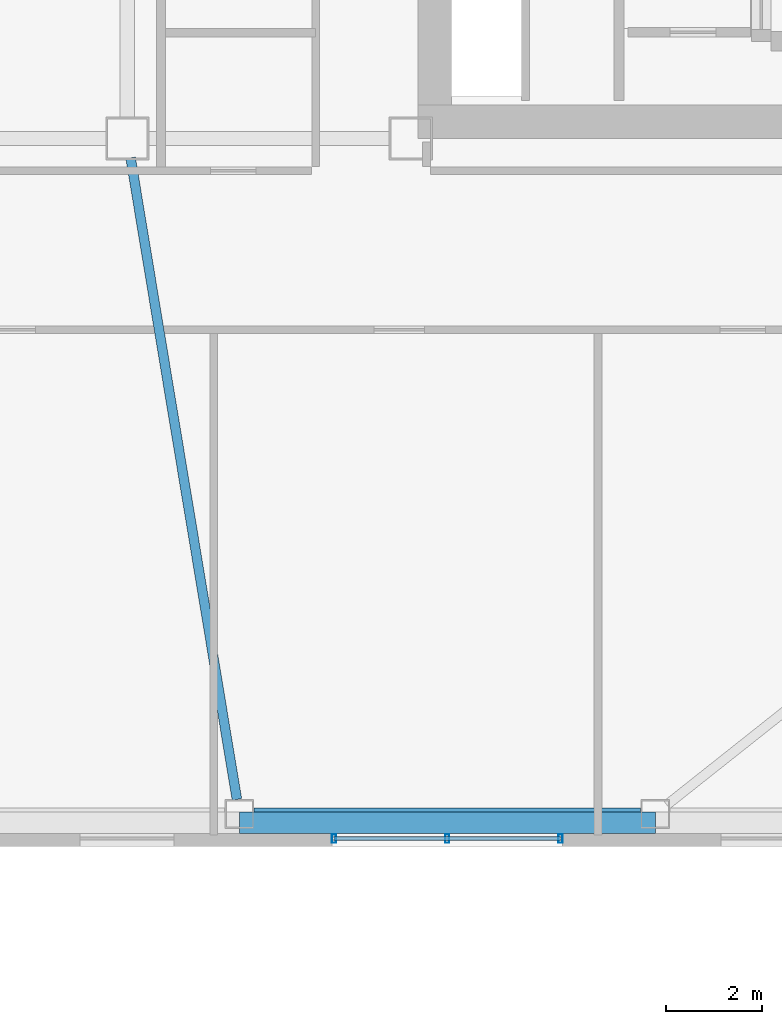
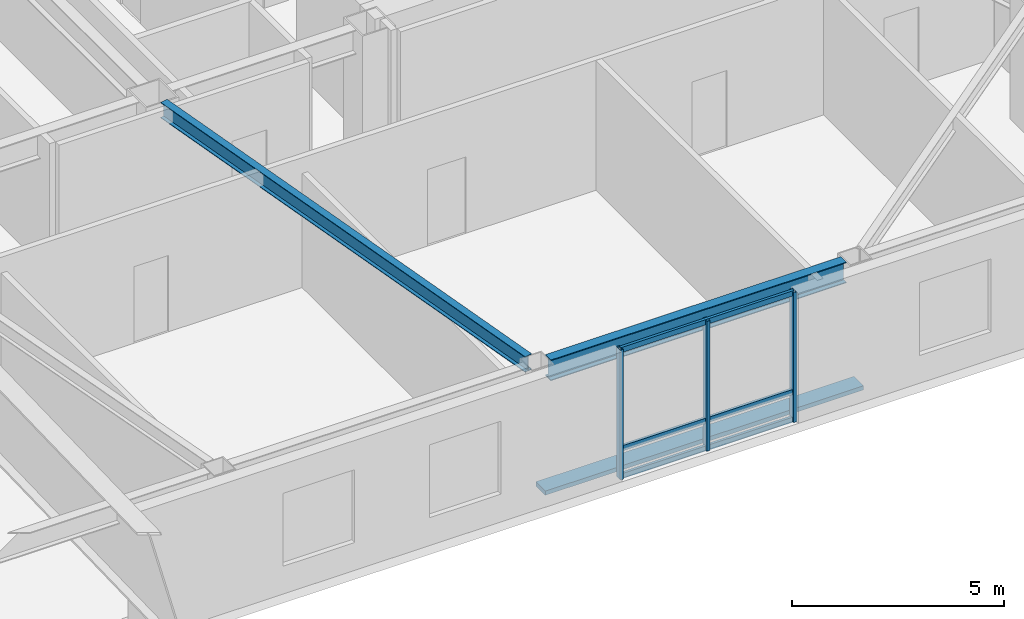
# One storey, part 5 of 19: 7 members, 2 beams, 1 element without a shape of its own.
"""IFC4 building model written with IfcOpenShell, lengths in metres."""

from ifc_helpers import new_model, si_unit, direction, frame, origin, origin_2d, place, context, subcontext, project, spatial, rectangle, hollow_rectangle, i_section, extrude, material, layer, layer_set, material_profile, profile_set, type_object, element, aggregate, save


model = new_model("IFC4")

# Units and contexts
model_context = context("Model", 3, precision=1e-05, world=origin(), true_north=direction((0.0, 1.0)))
body_context = subcontext(model_context, "Body", "Model", "MODEL_VIEW")
ifc_project = project(units=[si_unit("LENGTHUNIT", "METRE"), si_unit("AREAUNIT", "SQUARE_METRE"), si_unit("VOLUMEUNIT", "CUBIC_METRE"), si_unit("PLANEANGLEUNIT", "RADIAN"), si_unit("MASSUNIT", "GRAM", prefix="KILO")], contexts=[model_context])

# Site, building, storey
site_placement = place(None, origin())
site = spatial("IfcSite", under=ifc_project, at=site_placement, CompositionType="ELEMENT")
building_placement = place(site_placement, origin())
building = spatial("IfcBuilding", under=site, at=building_placement, Name="Tavrogorsk Clinical Tower", CompositionType="ELEMENT")
storey_placement = place(building_placement, frame((0.0, 0.0, 156.199951171875)))
storey = spatial("IfcBuildingStorey", under=building, at=storey_placement, Name="L35", CompositionType="ELEMENT", Elevation=156.199951171875)

# Member
ifc_material_1 = material(Name="Anodised aluminium alloy AW-6063", Category="aluminium")
ifc_material_profile_1 = material_profile(ifc_material_1, rectangle(XDim=0.449951171875, YDim=0.1201171875, at=origin_2d()), Name="ALU-SUNSHADE-450x120")
ifc_profile_set_1 = profile_set([ifc_material_profile_1], Name="Anodised aluminium alloy AW-6063")
member_type_1 = type_object("IfcMemberType", Name="ChicagoSunshade_450x120", PredefinedType="USERDEFINED", material=ifc_profile_set_1)
member_1_placement = place(storey_placement, frame((6.7314453125, -20.60009765625, 0.179931640625), z_axis=(1.0, 0.0, 0.0), x_axis=(0.0, 1.0, 0.0)))
element("IfcMember", 1, at=member_1_placement, inside=storey, type_object=member_type_1, Name="L35 South Aluminium Sunshade S5", ObjectType="SUNSHADE", PredefinedType="USERDEFINED", context=body_context, shape_type="SweptSolid", body=[
    extrude(rectangle(XDim=0.449951171875, YDim=0.1201171875, at=origin_2d()), origin(), (0.0, 0.0, 1.0), 8.662841796875),
])

# Curtain wall, members
ifc_material_2 = material(Name="Anodised aluminium and triple IGU glazing", Category="aluminium")
ifc_layer = layer(ifc_material_2, 0.179931640625)
ifc_layer_set = layer_set([ifc_layer], Name="Anodised aluminium and triple IGU glazing")
curtain_wall_type = type_object("IfcCurtainWallType", Name="CW3_SouthSlot", PredefinedType="NOTDEFINED", material=ifc_layer_set)
curtain_wall_placement = place(storey_placement, origin())
curtain_wall = element("IfcCurtainWall", 2, at=curtain_wall_placement, inside=storey, type_object=curtain_wall_type, Name="L35 Curtain Wall CW-L35-S-SLOT-2", PredefinedType="NOTDEFINED")
ifc_material_3 = material(Name="Anodised aluminium alloy AW-6060", Category="aluminium")
ifc_material_profile_2 = material_profile(ifc_material_3, hollow_rectangle(XDim=0.090087890625, YDim=0.179931640625, WallThickness=0.00634765625, at=origin_2d()), Name="RHS-180x90x6.3")
ifc_profile_set_2 = profile_set([ifc_material_profile_2], Name="Anodised aluminium alloy AW-6060")
member_type_2 = type_object("IfcMemberType", Name="CwMullion_180x90", PredefinedType="MULLION", material=ifc_profile_set_2)
member_2_placement = place(storey_placement, frame((8.703857421875, -20.929931640625, 0.0), z_axis=(0.0, 0.0, 1.0), x_axis=(1.0, 0.0, 0.0)))
member_2 = element("IfcMember", 3, at=member_2_placement, type_object=member_type_2, Name="CW-L35-S-SLOT-2 Mullion 1", PredefinedType="MULLION", context=body_context, shape_type="SweptSolid", body=[
    extrude(hollow_rectangle(XDim=0.090087890625, YDim=0.179931640625, WallThickness=0.00634765625, at=origin_2d()), origin(), (0.0, 0.0, 1.0), 3.739990234375),
])
member_3_placement = place(storey_placement, frame((11.062744140625, -20.929931640625, 0.0), z_axis=(0.0, 0.0, 1.0), x_axis=(1.0, 0.0, 0.0)))
member_3 = element("IfcMember", 4, at=member_3_placement, type_object=member_type_2, Name="CW-L35-S-SLOT-2 Mullion 2", PredefinedType="MULLION", context=body_context, shape_type="SweptSolid", body=[
    extrude(hollow_rectangle(XDim=0.090087890625, YDim=0.179931640625, WallThickness=0.00634765625, at=origin_2d()), origin(), (0.0, 0.0, 1.0), 3.739990234375),
])
member_4_placement = place(storey_placement, frame((13.421875, -20.929931640625, 0.0), z_axis=(0.0, 0.0, 1.0), x_axis=(1.0, 0.0, 0.0)))
member_4 = element("IfcMember", 5, at=member_4_placement, type_object=member_type_2, Name="CW-L35-S-SLOT-2 Mullion 3", PredefinedType="MULLION", context=body_context, shape_type="SweptSolid", body=[
    extrude(hollow_rectangle(XDim=0.090087890625, YDim=0.179931640625, WallThickness=0.00634765625, at=origin_2d()), origin(), (0.0, 0.0, 1.0), 3.739990234375),
])
ifc_material_4 = material(Name="Anodised aluminium alloy AW-6060", Category="aluminium")
ifc_material_profile_3 = material_profile(ifc_material_4, hollow_rectangle(XDim=0.074951171875, YDim=0.14990234375, WallThickness=0.0048828125, at=origin_2d()), Name="RHS-150x75x5")
ifc_profile_set_3 = profile_set([ifc_material_profile_3], Name="Anodised aluminium alloy AW-6060")
member_type_3 = type_object("IfcMemberType", Name="CwTransom_150x75", PredefinedType="USERDEFINED", material=ifc_profile_set_3)
member_5_placement = place(storey_placement, frame((8.703857421875, -20.929931640625, 0.050048828125), z_axis=(1.0, 0.0, 0.0), x_axis=(0.0, 1.0, 0.0)))
member_5 = element("IfcMember", 6, at=member_5_placement, type_object=member_type_3, Name="CW-L35-S-SLOT-2 Transom 1", ObjectType="TRANSOM", PredefinedType="USERDEFINED", context=body_context, shape_type="SweptSolid", body=[
    extrude(hollow_rectangle(XDim=0.074951171875, YDim=0.14990234375, WallThickness=0.0048828125, at=origin_2d()), origin(), (0.0, 0.0, 1.0), 4.718017578125),
])
member_6_placement = place(storey_placement, frame((8.703857421875, -20.929931640625, 0.85009765625), z_axis=(1.0, 0.0, 0.0), x_axis=(0.0, 1.0, 0.0)))
member_6 = element("IfcMember", 7, at=member_6_placement, type_object=member_type_3, Name="CW-L35-S-SLOT-2 Transom 2", ObjectType="TRANSOM", PredefinedType="USERDEFINED", context=body_context, shape_type="SweptSolid", body=[
    extrude(hollow_rectangle(XDim=0.074951171875, YDim=0.14990234375, WallThickness=0.0048828125, at=origin_2d()), origin(), (0.0, 0.0, 1.0), 4.718017578125),
])
member_7_placement = place(storey_placement, frame((8.703857421875, -20.929931640625, 3.68994140625), z_axis=(1.0, 0.0, 0.0), x_axis=(0.0, 1.0, 0.0)))
member_7 = element("IfcMember", 8, at=member_7_placement, type_object=member_type_3, Name="CW-L35-S-SLOT-2 Transom 3", ObjectType="TRANSOM", PredefinedType="USERDEFINED", context=body_context, shape_type="SweptSolid", body=[
    extrude(hollow_rectangle(XDim=0.074951171875, YDim=0.14990234375, WallThickness=0.0048828125, at=origin_2d()), origin(), (0.0, 0.0, 1.0), 4.718017578125),
])
aggregate(curtain_wall, [member_2, member_3, member_4, member_5, member_6, member_7])

# Beams
ifc_material_5 = material(Name="Structural steel S355", Category="steel")
ifc_material_profile_4 = material_profile(ifc_material_5, i_section(OverallWidth=0.199951171875, OverallDepth=0.449951171875, WebThickness=0.011474609375, FlangeThickness=0.01806640625, at=origin_2d()), Name="B-450x200x11.5x18")
ifc_profile_set_4 = profile_set([ifc_material_profile_4], Name="Structural steel S355")
beam_type_1 = type_object("IfcBeamType", Name="FloorBeam_B450", PredefinedType="BEAM", material=ifc_profile_set_4)
beam_1_placement = place(storey_placement, frame((4.467041015625, -6.75439453125, 3.51513671875), z_axis=(0.16347521907, -0.986547440699, 0.0), x_axis=(0.986547440699, 0.16347521907, 0.0)))
element("IfcBeam", 9, at=beam_1_placement, inside=storey, type_object=beam_type_1, Name="L35 Radial Floor Beam S5", PredefinedType="BEAM", context=body_context, shape_type="SweptSolid", body=[
    extrude(i_section(OverallWidth=0.199951171875, OverallDepth=0.449951171875, WebThickness=0.011474609375, FlangeThickness=0.01806640625, at=origin_2d()), origin(), (0.0, 0.0, 1.0), 13.5439453125),
])
ifc_material_6 = material(Name="Structural steel S390", Category="steel")
ifc_material_profile_5 = material_profile(ifc_material_6, i_section(OverallWidth=0.260009765625, OverallDepth=0.60009765625, WebThickness=0.014892578125, FlangeThickness=0.02392578125, at=origin_2d()), Name="B-600x260x15x24")
ifc_profile_set_5 = profile_set([ifc_material_profile_5], Name="Structural steel S390")
beam_type_2 = type_object("IfcBeamType", Name="SpandrelBeam_B600", PredefinedType="SPANDREL", material=ifc_profile_set_5)
beam_2_placement = place(storey_placement, frame((7.039306640625, -20.419921875, 3.43994140625), z_axis=(1.0, 0.0, 0.0), x_axis=(0.0, 1.0, 0.0)))
element("IfcBeam", 10, at=beam_2_placement, inside=storey, type_object=beam_type_2, Name="L35 Perimeter Spandrel S5-S6", PredefinedType="SPANDREL", context=body_context, shape_type="SweptSolid", body=[
    extrude(i_section(OverallWidth=0.260009765625, OverallDepth=0.60009765625, WebThickness=0.014892578125, FlangeThickness=0.02392578125, at=origin_2d()), origin(), (0.0, 0.0, 1.0), 8.046875),
])

save(model, "model.ifc")
